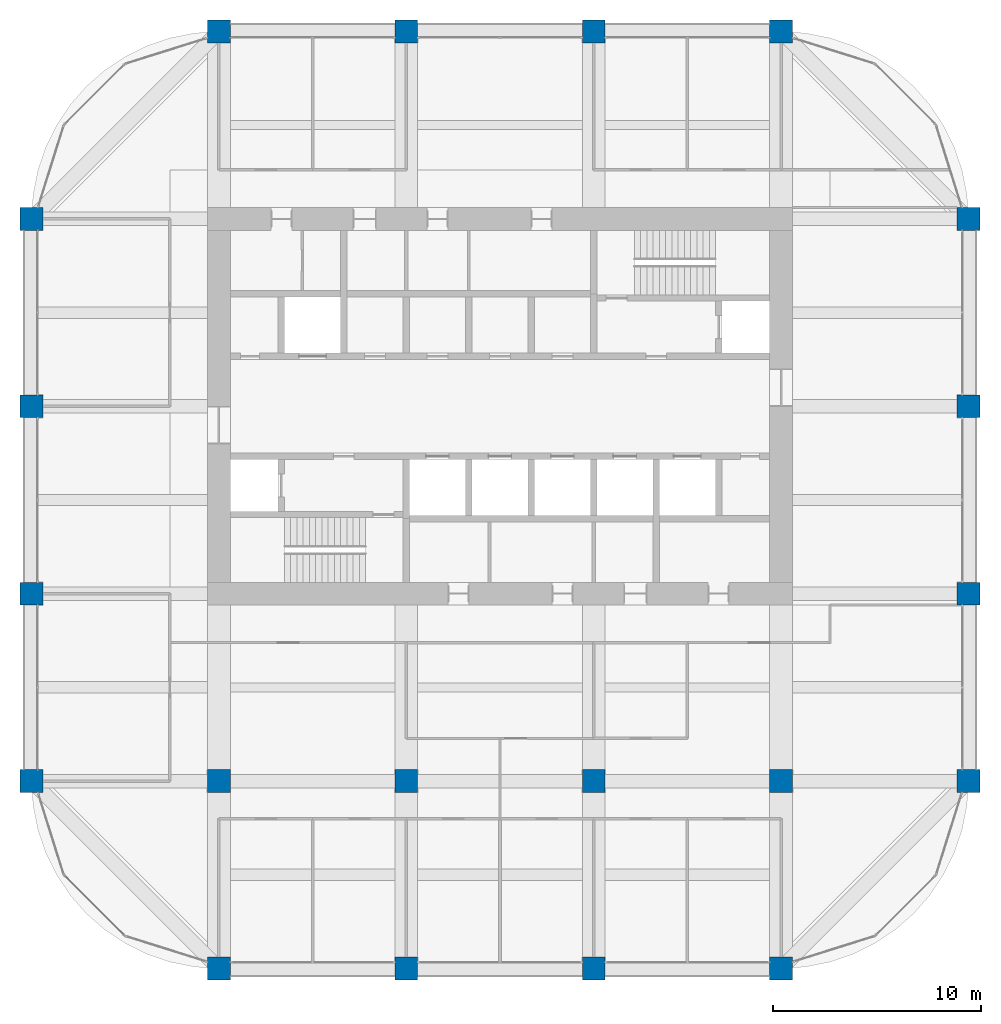
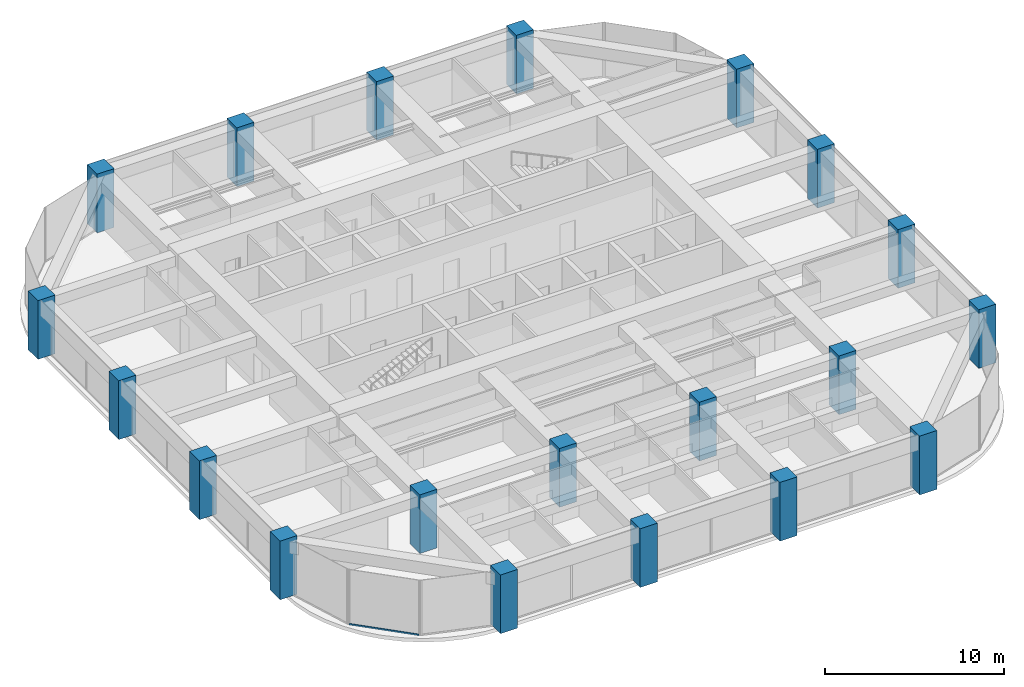
# One storey, part 1 of 44: 20 columns, 1 member, 1 element without a shape of its own.
"""IFC4 building model written with IfcOpenShell, lengths in metres."""

from ifc_helpers import new_model, si_unit, direction, frame, origin, origin_2d, place, context, subcontext, project, spatial, rectangle, hollow_rectangle, extrude, material, material_profile, profile_set, type_object, element, aggregate, save


model = new_model("IFC4")

# Units and contexts
model_context = context("Model", 3, precision=1e-05, world=origin(), true_north=direction((0.0, 1.0)))
body_context = subcontext(model_context, "Body", "Model", "MODEL_VIEW")
ifc_project = project(units=[si_unit("LENGTHUNIT", "METRE"), si_unit("AREAUNIT", "SQUARE_METRE"), si_unit("VOLUMEUNIT", "CUBIC_METRE"), si_unit("PLANEANGLEUNIT", "RADIAN"), si_unit("MASSUNIT", "GRAM", prefix="KILO")], contexts=[model_context])

# Site, building, storey
site_placement = place(None, origin())
site = spatial("IfcSite", under=ifc_project, at=site_placement, CompositionType="ELEMENT")
building_placement = place(site_placement, origin())
building = spatial("IfcBuilding", under=site, at=building_placement, Name="Zorevar Civic Tower", CompositionType="ELEMENT")
storey_placement = place(building_placement, frame((0.0, 0.0, 283.39990234375)))
storey = spatial("IfcBuildingStorey", under=building, at=storey_placement, Name="L69", CompositionType="ELEMENT", Elevation=283.39990234375)

# Columns
ifc_material_1 = material(Name="Concrete C50/60", Category="concrete")
ifc_material_profile_1 = material_profile(ifc_material_1, rectangle(XDim=1.10009765625, YDim=1.10009765625, at=origin_2d()), Name="RC 1100x1100")
ifc_profile_set_1 = profile_set([ifc_material_profile_1], Name="Concrete C50/60")
column_type = type_object("IfcColumnType", Name="Column RC 1100x1100", PredefinedType="COLUMN", material=ifc_profile_set_1)
for number, where, z_axis, x_axis, name in (
    (1, (9.0, 9.0, 0.0), (0.0, 0.0, 1.0), (1.0, 0.0, 0.0), "Column 3B L69"),
    (2, (9.0, 18.0, 0.0), (0.0, 0.0, 1.0), (1.0, 0.0, 0.0), "Column 3C L69"),
    (3, (9.0, 27.0, 0.0), (0.0, 0.0, 1.0), (1.0, 0.0, 0.0), "Column 3D L69"),
    (4, (9.0, 36.0, 0.0), (0.0, 0.0, 1.0), (1.0, 0.0, 0.0), "Column 3E L69"),
    (5, (18.0, 0.0, 0.0), (0.0, 0.0, 1.0), (1.0, 0.0, 0.0), "Column 4A L69"),
    (6, (18.0, 9.0, 0.0), (0.0, 0.0, 1.0), (1.0, 0.0, 0.0), "Column 4B L69"),
    (7, (18.0, 45.0, 0.0), (0.0, 0.0, 1.0), (1.0, 0.0, 0.0), "Column 4F L69"),
    (8, (27.0, 0.0, 0.0), (0.0, 0.0, 1.0), (1.0, 0.0, 0.0), "Column 5A L69"),
    (9, (27.0, 9.0, 0.0), (0.0, 0.0, 1.0), (1.0, 0.0, 0.0), "Column 5B L69"),
    (10, (27.0, 45.0, 0.0), (0.0, 0.0, 1.0), (1.0, 0.0, 0.0), "Column 5F L69"),
    (11, (36.0, 0.0, 0.0), (0.0, 0.0, 1.0), (1.0, 0.0, 0.0), "Column 6A L69"),
    (12, (36.0, 9.0, 0.0), (0.0, 0.0, 1.0), (1.0, 0.0, 0.0), "Column 6B L69"),
    (13, (36.0, 45.0, 0.0), (0.0, 0.0, 1.0), (1.0, 0.0, 0.0), "Column 6F L69"),
    (14, (45.0, 0.0, 0.0), (0.0, 0.0, 1.0), (1.0, 0.0, 0.0), "Column 7A L69"),
    (15, (45.0, 9.0, 0.0), (0.0, 0.0, 1.0), (1.0, 0.0, 0.0), "Column 7B L69"),
    (16, (45.0, 45.0, 0.0), (0.0, 0.0, 1.0), (1.0, 0.0, 0.0), "Column 7F L69"),
    (17, (54.0, 9.0, 0.0), (0.0, 0.0, 1.0), (1.0, 0.0, 0.0), "Column 8B L69"),
    (18, (54.0, 18.0, 0.0), (0.0, 0.0, 1.0), (1.0, 0.0, 0.0), "Column 8C L69"),
    (19, (54.0, 27.0, 0.0), (0.0, 0.0, 1.0), (1.0, 0.0, 0.0), "Column 8D L69"),
    (20, (54.0, 36.0, 0.0), (0.0, 0.0, 1.0), (1.0, 0.0, 0.0), "Column 8E L69"),
):
    element("IfcColumn", number, at=place(storey_placement, frame(where, z_axis=z_axis, x_axis=x_axis)), inside=storey, type_object=column_type, Name=name, PredefinedType="COLUMN", context=body_context, shape_type="SweptSolid", body=[
        extrude(rectangle(XDim=1.10009765625, YDim=1.10009765625, at=origin_2d()), origin(), (0.0, 0.0, 1.0), 4.0),
    ])

# Curtain wall, member
ifc_material_2 = material(Name="Dark grey solar-control glass in black aluminium frame", Category="aluminium")
curtain_wall_type = type_object("IfcCurtainWallType", Name="Curtain wall CW5 top zone", PredefinedType="NOTDEFINED", material=ifc_material_2)
curtain_wall_placement = place(storey_placement, origin())
curtain_wall = element("IfcCurtainWall", 21, at=curtain_wall_placement, inside=storey, type_object=curtain_wall_type, Name="CW5 L69", PredefinedType="NOTDEFINED")
ifc_material_3 = material(Name="Aluminium, black anodised", Category="aluminium")
ifc_material_profile_2 = material_profile(ifc_material_3, hollow_rectangle(XDim=0.06005859375, YDim=0.1201171875, WallThickness=0.0029296875, at=origin_2d()), Name="AL 120x60x3")
ifc_profile_set_2 = profile_set([ifc_material_profile_2], Name="Aluminium, black anodised")
member_type = type_object("IfcMemberType", Name="CW5 transom AL 120x60x3", PredefinedType="USERDEFINED", material=ifc_profile_set_2)
member_placement = place(storey_placement, frame((10.6015625, 4.44970703125, 0.030029296875), z_axis=(0.707106781187, -0.707106781187, 0.0), x_axis=(0.707106781187, 0.707106781187, 0.0)))
member = element("IfcMember", 22, at=member_placement, type_object=member_type, Name="CW5 sill transom", ObjectType="TRANSOM", PredefinedType="USERDEFINED", context=body_context, shape_type="SweptSolid", body=[
    extrude(hollow_rectangle(XDim=0.06005859375, YDim=0.1201171875, WallThickness=0.0029296875, at=origin_2d()), origin(), (0.0, 0.0, 1.0), 4.02783203125),
])
aggregate(curtain_wall, [member])

save(model, "model.ifc")
